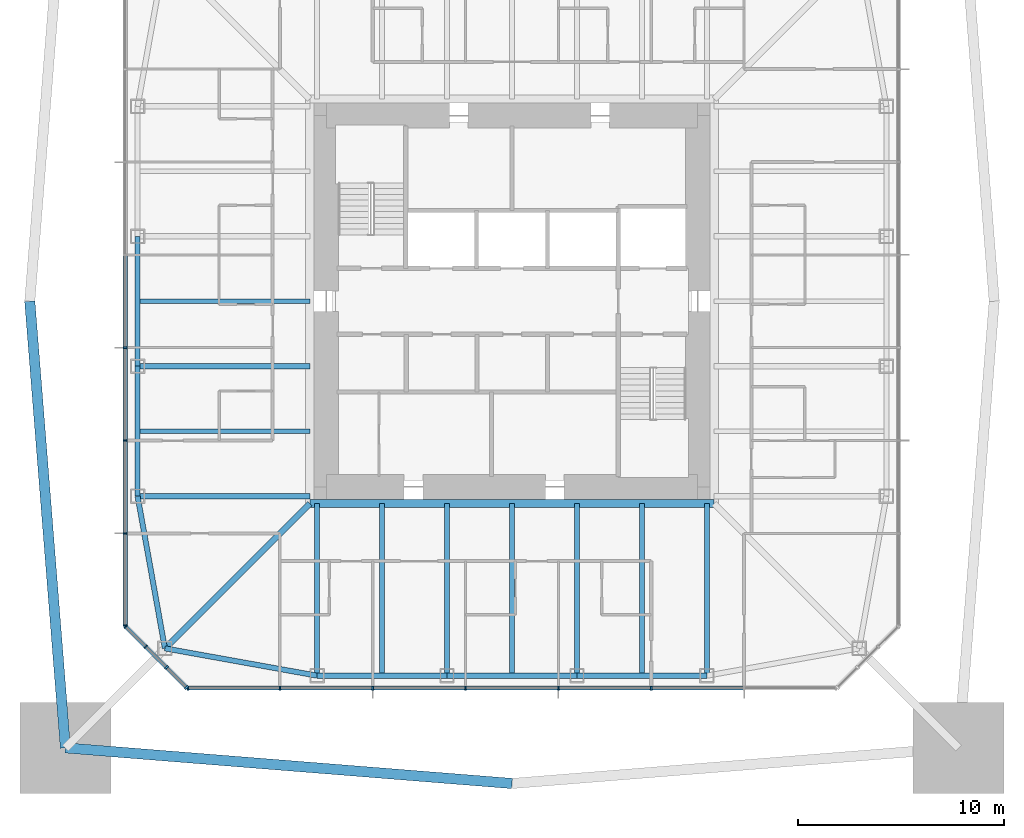
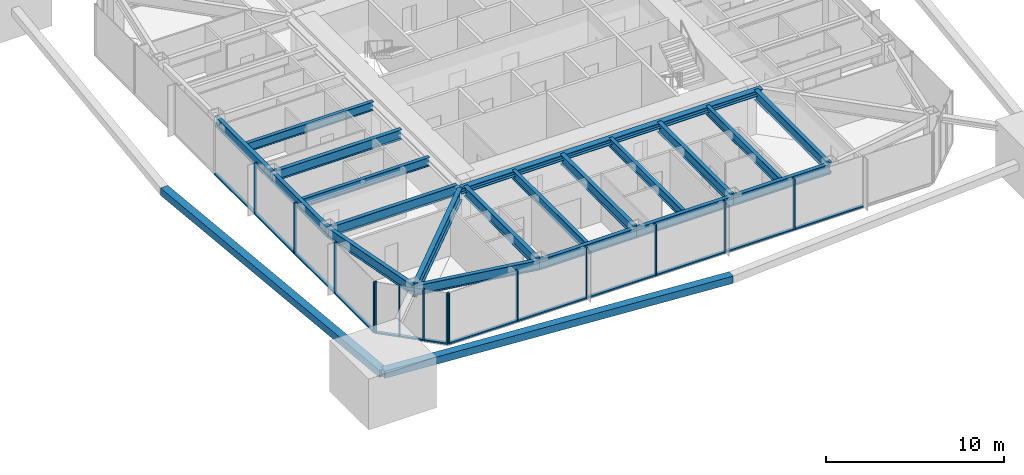
# One storey, part 2 of 13: 29 members, 20 beams, 3 elements without a shape of their own.
"""IFC4 building model written with IfcOpenShell, lengths in metres."""

from ifc_helpers import new_model, si_unit, direction, frame, origin, origin_2d, place, context, subcontext, project, spatial, rectangle, hollow_rectangle, i_section, extrude, material, material_profile, profile_set, type_object, element, aggregate, save


model = new_model("IFC4")

# Units and contexts
model_context = context("Model", 3, precision=1e-05, world=origin(), true_north=direction((0.0, 1.0)))
body_context = subcontext(model_context, "Body", "Model", "MODEL_VIEW")
ifc_project = project(units=[si_unit("LENGTHUNIT", "METRE"), si_unit("AREAUNIT", "SQUARE_METRE"), si_unit("VOLUMEUNIT", "CUBIC_METRE"), si_unit("PLANEANGLEUNIT", "RADIAN"), si_unit("MASSUNIT", "GRAM", prefix="KILO")], contexts=[model_context])

# Site, building, storey
site_placement = place(None, origin())
site = spatial("IfcSite", under=ifc_project, at=site_placement, CompositionType="ELEMENT")
building_placement = place(site_placement, origin())
building = spatial("IfcBuilding", under=site, at=building_placement, Name="Iwan Alto Co-Living Towers", CompositionType="ELEMENT")
storey_placement = place(building_placement, frame((0.0, 0.0, 160.0)))
storey = spatial("IfcBuildingStorey", under=building, at=storey_placement, Name="L43", CompositionType="ELEMENT", Elevation=160.0)

# Curtain wall, members
ifc_material_1 = material(Name="Bronze aluminium unitised frame", Category="aluminium")
curtain_wall_type_1 = type_object("IfcCurtainWallType", Name="CURTAIN WALL CW-A", PredefinedType="NOTDEFINED", material=ifc_material_1)
curtain_wall_1_placement = place(storey_placement, origin())
curtain_wall_1 = element("IfcCurtainWall", 1, at=curtain_wall_1_placement, inside=storey, type_object=curtain_wall_type_1, Name="T1 curtain wall S L43", PredefinedType="NOTDEFINED")
ifc_material_2 = material(Name="Aluminium 6063-T6 bronze anodised", Category="aluminium")
ifc_material_profile_1 = material_profile(ifc_material_2, rectangle(XDim=0.199951171875, YDim=0.080078125, at=origin_2d()), Name="AL 80X200")
ifc_profile_set_1 = profile_set([ifc_material_profile_1], Name="Aluminium 6063-T6 bronze anodised")
member_type_1 = type_object("IfcMemberType", Name="CW-A MULLION 80X200", PredefinedType="MULLION", material=ifc_profile_set_1)
member_1_placement = place(storey_placement, frame((-15.7099609375, -18.75, 0.0), z_axis=(0.0, 0.0, 1.0), x_axis=(0.0, 1.0, 0.0)))
member_1 = element("IfcMember", 2, at=member_1_placement, type_object=member_type_1, Name="CW-A mullion 1", PredefinedType="MULLION", context=body_context, shape_type="SweptSolid", body=[
    extrude(rectangle(XDim=0.199951171875, YDim=0.080078125, at=origin_2d()), origin(), (0.0, 0.0, 1.0), 3.5),
])
member_2_placement = place(storey_placement, frame((-11.25, -18.75, 0.0), z_axis=(0.0, 0.0, 1.0), x_axis=(0.0, 1.0, 0.0)))
member_2 = element("IfcMember", 3, at=member_2_placement, type_object=member_type_1, Name="CW-A mullion 2", PredefinedType="MULLION", context=body_context, shape_type="SweptSolid", body=[
    extrude(rectangle(XDim=0.199951171875, YDim=0.080078125, at=origin_2d()), origin(), (0.0, 0.0, 1.0), 3.5),
])
member_3_placement = place(storey_placement, frame((-6.75, -18.75, 0.0), z_axis=(0.0, 0.0, 1.0), x_axis=(0.0, 1.0, 0.0)))
member_3 = element("IfcMember", 4, at=member_3_placement, type_object=member_type_1, Name="CW-A mullion 3", PredefinedType="MULLION", context=body_context, shape_type="SweptSolid", body=[
    extrude(rectangle(XDim=0.199951171875, YDim=0.080078125, at=origin_2d()), origin(), (0.0, 0.0, 1.0), 3.5),
])
member_4_placement = place(storey_placement, frame((-2.25, -18.75, 0.0), z_axis=(0.0, 0.0, 1.0), x_axis=(0.0, 1.0, 0.0)))
member_4 = element("IfcMember", 5, at=member_4_placement, type_object=member_type_1, Name="CW-A mullion 4", PredefinedType="MULLION", context=body_context, shape_type="SweptSolid", body=[
    extrude(rectangle(XDim=0.199951171875, YDim=0.080078125, at=origin_2d()), origin(), (0.0, 0.0, 1.0), 3.5),
])
member_5_placement = place(storey_placement, frame((2.25, -18.75, 0.0), z_axis=(0.0, 0.0, 1.0), x_axis=(0.0, 1.0, 0.0)))
member_5 = element("IfcMember", 6, at=member_5_placement, type_object=member_type_1, Name="CW-A mullion 5", PredefinedType="MULLION", context=body_context, shape_type="SweptSolid", body=[
    extrude(rectangle(XDim=0.199951171875, YDim=0.080078125, at=origin_2d()), origin(), (0.0, 0.0, 1.0), 3.5),
])
member_6_placement = place(storey_placement, frame((6.75, -18.75, 0.0), z_axis=(0.0, 0.0, 1.0), x_axis=(0.0, 1.0, 0.0)))
member_6 = element("IfcMember", 7, at=member_6_placement, type_object=member_type_1, Name="CW-A mullion 6", PredefinedType="MULLION", context=body_context, shape_type="SweptSolid", body=[
    extrude(rectangle(XDim=0.199951171875, YDim=0.080078125, at=origin_2d()), origin(), (0.0, 0.0, 1.0), 3.5),
])

curtain_wall_2_placement = place(storey_placement, origin())
curtain_wall_2 = element("IfcCurtainWall", 8, at=curtain_wall_2_placement, inside=storey, type_object=curtain_wall_type_1, Name="T1 curtain wall W L43", PredefinedType="NOTDEFINED")
member_7_placement = place(storey_placement, frame((-18.75, -2.25, 0.0), z_axis=(0.0, 0.0, 1.0), x_axis=(1.0, 0.0, 0.0)))
member_7 = element("IfcMember", 9, at=member_7_placement, type_object=member_type_1, Name="CW-A mullion 5", PredefinedType="MULLION", context=body_context, shape_type="SweptSolid", body=[
    extrude(rectangle(XDim=0.199951171875, YDim=0.080078125, at=origin_2d()), origin(), (0.0, 0.0, 1.0), 3.5),
])
member_8_placement = place(storey_placement, frame((-18.75, -6.75, 0.0), z_axis=(0.0, 0.0, 1.0), x_axis=(1.0, 0.0, 0.0)))
member_8 = element("IfcMember", 10, at=member_8_placement, type_object=member_type_1, Name="CW-A mullion 6", PredefinedType="MULLION", context=body_context, shape_type="SweptSolid", body=[
    extrude(rectangle(XDim=0.199951171875, YDim=0.080078125, at=origin_2d()), origin(), (0.0, 0.0, 1.0), 3.5),
])
member_9_placement = place(storey_placement, frame((-18.75, -11.25, 0.0), z_axis=(0.0, 0.0, 1.0), x_axis=(1.0, 0.0, 0.0)))
member_9 = element("IfcMember", 11, at=member_9_placement, type_object=member_type_1, Name="CW-A mullion 7", PredefinedType="MULLION", context=body_context, shape_type="SweptSolid", body=[
    extrude(rectangle(XDim=0.199951171875, YDim=0.080078125, at=origin_2d()), origin(), (0.0, 0.0, 1.0), 3.5),
])
member_10_placement = place(storey_placement, frame((-18.75, -15.7099609375, 0.0), z_axis=(0.0, 0.0, 1.0), x_axis=(1.0, 0.0, 0.0)))
member_10 = element("IfcMember", 12, at=member_10_placement, type_object=member_type_1, Name="CW-A mullion 8", PredefinedType="MULLION", context=body_context, shape_type="SweptSolid", body=[
    extrude(rectangle(XDim=0.199951171875, YDim=0.080078125, at=origin_2d()), origin(), (0.0, 0.0, 1.0), 3.5),
])

# Member
ifc_material_3 = material(Name="Aluminium 6063-T6 bronze anodised", Category="aluminium")
ifc_material_profile_2 = material_profile(ifc_material_3, rectangle(XDim=0.199951171875, YDim=0.10009765625, at=origin_2d()), Name="AL 200X100")
ifc_profile_set_2 = profile_set([ifc_material_profile_2], Name="Aluminium 6063-T6 bronze anodised")
member_type_2 = type_object("IfcMemberType", Name="CW-A TRANSOM 200X100", PredefinedType="USERDEFINED", material=ifc_profile_set_2)
member_11_placement = place(storey_placement, frame((-15.669921875, -18.75, 0.050048828125), z_axis=(1.0, 0.0, 0.0), x_axis=(0.0, 1.0, 0.0)))
member_11 = element("IfcMember", 13, at=member_11_placement, type_object=member_type_2, Name="CW-A transom 1.1", ObjectType="TRANSOM", PredefinedType="USERDEFINED", context=body_context, shape_type="SweptSolid", body=[
    extrude(rectangle(XDim=0.199951171875, YDim=0.10009765625, at=origin_2d()), origin(), (0.0, 0.0, 1.0), 4.3798828125),
])

member_12_placement = place(storey_placement, frame((-11.2099609375, -18.75, 0.050048828125), z_axis=(1.0, 0.0, 0.0), x_axis=(0.0, 1.0, 0.0)))
member_12 = element("IfcMember", 14, at=member_12_placement, type_object=member_type_2, Name="CW-A transom 2.1", ObjectType="TRANSOM", PredefinedType="USERDEFINED", context=body_context, shape_type="SweptSolid", body=[
    extrude(rectangle(XDim=0.199951171875, YDim=0.10009765625, at=origin_2d()), origin(), (0.0, 0.0, 1.0), 4.419921875),
])

member_13_placement = place(storey_placement, frame((-6.7099609375, -18.75, 0.050048828125), z_axis=(1.0, 0.0, 0.0), x_axis=(0.0, 1.0, 0.0)))
member_13 = element("IfcMember", 15, at=member_13_placement, type_object=member_type_2, Name="CW-A transom 3.1", ObjectType="TRANSOM", PredefinedType="USERDEFINED", context=body_context, shape_type="SweptSolid", body=[
    extrude(rectangle(XDim=0.199951171875, YDim=0.10009765625, at=origin_2d()), origin(), (0.0, 0.0, 1.0), 4.419921875),
])

member_14_placement = place(storey_placement, frame((-2.2099609375, -18.75, 0.050048828125), z_axis=(1.0, 0.0, 0.0), x_axis=(0.0, 1.0, 0.0)))
member_14 = element("IfcMember", 16, at=member_14_placement, type_object=member_type_2, Name="CW-A transom 4.1", ObjectType="TRANSOM", PredefinedType="USERDEFINED", context=body_context, shape_type="SweptSolid", body=[
    extrude(rectangle(XDim=0.199951171875, YDim=0.10009765625, at=origin_2d()), origin(), (0.0, 0.0, 1.0), 4.419921875),
])

member_15_placement = place(storey_placement, frame((2.2900390625, -18.75, 0.050048828125), z_axis=(1.0, 0.0, 0.0), x_axis=(0.0, 1.0, 0.0)))
member_15 = element("IfcMember", 17, at=member_15_placement, type_object=member_type_2, Name="CW-A transom 5.1", ObjectType="TRANSOM", PredefinedType="USERDEFINED", context=body_context, shape_type="SweptSolid", body=[
    extrude(rectangle(XDim=0.199951171875, YDim=0.10009765625, at=origin_2d()), origin(), (0.0, 0.0, 1.0), 4.419921875),
])

member_16_placement = place(storey_placement, frame((6.7900390625, -18.75, 0.050048828125), z_axis=(1.0, 0.0, 0.0), x_axis=(0.0, 1.0, 0.0)))
member_16 = element("IfcMember", 18, at=member_16_placement, type_object=member_type_2, Name="CW-A transom 6.1", ObjectType="TRANSOM", PredefinedType="USERDEFINED", context=body_context, shape_type="SweptSolid", body=[
    extrude(rectangle(XDim=0.199951171875, YDim=0.10009765625, at=origin_2d()), origin(), (0.0, 0.0, 1.0), 4.419921875),
])

aggregate(curtain_wall_1, [member_1, member_2, member_3, member_4, member_5, member_6, member_11, member_12, member_13, member_14, member_15, member_16])

member_17_placement = place(storey_placement, frame((-18.75, 2.2099609375, 0.050048828125), z_axis=(0.0, -1.0, 0.0), x_axis=(1.0, 0.0, 0.0)))
member_17 = element("IfcMember", 19, at=member_17_placement, type_object=member_type_2, Name="CW-A transom 4.1", ObjectType="TRANSOM", PredefinedType="USERDEFINED", context=body_context, shape_type="SweptSolid", body=[
    extrude(rectangle(XDim=0.199951171875, YDim=0.10009765625, at=origin_2d()), origin(), (0.0, 0.0, 1.0), 4.419921875),
])

member_18_placement = place(storey_placement, frame((-18.75, -2.2900390625, 0.050048828125), z_axis=(0.0, -1.0, 0.0), x_axis=(1.0, 0.0, 0.0)))
member_18 = element("IfcMember", 20, at=member_18_placement, type_object=member_type_2, Name="CW-A transom 5.1", ObjectType="TRANSOM", PredefinedType="USERDEFINED", context=body_context, shape_type="SweptSolid", body=[
    extrude(rectangle(XDim=0.199951171875, YDim=0.10009765625, at=origin_2d()), origin(), (0.0, 0.0, 1.0), 4.419921875),
])

member_19_placement = place(storey_placement, frame((-18.75, -6.7900390625, 0.050048828125), z_axis=(0.0, -1.0, 0.0), x_axis=(1.0, 0.0, 0.0)))
member_19 = element("IfcMember", 21, at=member_19_placement, type_object=member_type_2, Name="CW-A transom 6.1", ObjectType="TRANSOM", PredefinedType="USERDEFINED", context=body_context, shape_type="SweptSolid", body=[
    extrude(rectangle(XDim=0.199951171875, YDim=0.10009765625, at=origin_2d()), origin(), (0.0, 0.0, 1.0), 4.419921875),
])

member_20_placement = place(storey_placement, frame((-18.75, -11.2900390625, 0.050048828125), z_axis=(0.0, -1.0, 0.0), x_axis=(1.0, 0.0, 0.0)))
member_20 = element("IfcMember", 22, at=member_20_placement, type_object=member_type_2, Name="CW-A transom 7.1", ObjectType="TRANSOM", PredefinedType="USERDEFINED", context=body_context, shape_type="SweptSolid", body=[
    extrude(rectangle(XDim=0.199951171875, YDim=0.10009765625, at=origin_2d()), origin(), (0.0, 0.0, 1.0), 4.3798828125),
])

aggregate(curtain_wall_2, [member_7, member_8, member_9, member_10, member_17, member_18, member_19, member_20])

# Curtain wall, members
ifc_material_4 = material(Name="Bronze aluminium unitised frame", Category="aluminium")
curtain_wall_type_2 = type_object("IfcCurtainWallType", Name="CURTAIN WALL CW-B", PredefinedType="NOTDEFINED", material=ifc_material_4)
curtain_wall_3_placement = place(storey_placement, origin())
curtain_wall_3 = element("IfcCurtainWall", 23, at=curtain_wall_3_placement, inside=storey, type_object=curtain_wall_type_2, Name="T1 chamfer curtain wall SW L43", PredefinedType="NOTDEFINED")
ifc_material_5 = material(Name="Aluminium 6063-T6 bronze anodised", Category="aluminium")
ifc_material_profile_3 = material_profile(ifc_material_5, rectangle(XDim=0.199951171875, YDim=0.080078125, at=origin_2d()), Name="AL 80X200")
ifc_profile_set_3 = profile_set([ifc_material_profile_3], Name="Aluminium 6063-T6 bronze anodised")
member_type_3 = type_object("IfcMemberType", Name="CW-B MULLION 80X200", PredefinedType="MULLION", material=ifc_profile_set_3)
member_21_placement = place(storey_placement, frame((-18.7216796875, -15.7783203125, 0.0), z_axis=(0.0, 0.0, 1.0), x_axis=(0.707106781187, 0.707106781187, 0.0)))
member_21 = element("IfcMember", 24, at=member_21_placement, type_object=member_type_3, Name="CW-B mullion 1", PredefinedType="MULLION", context=body_context, shape_type="SweptSolid", body=[
    extrude(rectangle(XDim=0.199951171875, YDim=0.080078125, at=origin_2d()), origin(), (0.0, 0.0, 1.0), 3.5),
])
member_22_placement = place(storey_placement, frame((-17.75, -16.75, 0.0), z_axis=(0.0, 0.0, 1.0), x_axis=(0.707106781187, 0.707106781187, 0.0)))
member_22 = element("IfcMember", 25, at=member_22_placement, type_object=member_type_3, Name="CW-B mullion 2", PredefinedType="MULLION", context=body_context, shape_type="SweptSolid", body=[
    extrude(rectangle(XDim=0.199951171875, YDim=0.080078125, at=origin_2d()), origin(), (0.0, 0.0, 1.0), 3.5),
])
member_23_placement = place(storey_placement, frame((-16.75, -17.75, 0.0), z_axis=(0.0, 0.0, 1.0), x_axis=(0.707106781187, 0.707106781187, 0.0)))
member_23 = element("IfcMember", 26, at=member_23_placement, type_object=member_type_3, Name="CW-B mullion 3", PredefinedType="MULLION", context=body_context, shape_type="SweptSolid", body=[
    extrude(rectangle(XDim=0.199951171875, YDim=0.080078125, at=origin_2d()), origin(), (0.0, 0.0, 1.0), 3.5),
])
member_24_placement = place(storey_placement, frame((-15.7783203125, -18.7216796875, 0.0), z_axis=(0.0, 0.0, 1.0), x_axis=(0.707106781187, 0.707106781187, 0.0)))
member_24 = element("IfcMember", 27, at=member_24_placement, type_object=member_type_3, Name="CW-B mullion 4", PredefinedType="MULLION", context=body_context, shape_type="SweptSolid", body=[
    extrude(rectangle(XDim=0.199951171875, YDim=0.080078125, at=origin_2d()), origin(), (0.0, 0.0, 1.0), 3.5),
])
ifc_material_6 = material(Name="Aluminium 6063-T6 bronze anodised", Category="aluminium")
ifc_material_profile_4 = material_profile(ifc_material_6, rectangle(XDim=0.199951171875, YDim=0.10009765625, at=origin_2d()), Name="AL 200X100")
ifc_profile_set_4 = profile_set([ifc_material_profile_4], Name="Aluminium 6063-T6 bronze anodised")
member_type_4 = type_object("IfcMemberType", Name="CW-B TRANSOM 200X100", PredefinedType="USERDEFINED", material=ifc_profile_set_4)
member_25_placement = place(storey_placement, frame((-18.693359375, -15.806640625, 0.050048828125), z_axis=(0.707106781187, -0.707106781187, 0.0), x_axis=(0.707106781187, 0.707106781187, 0.0)))
member_25 = element("IfcMember", 28, at=member_25_placement, type_object=member_type_4, Name="CW-B transom 1.1", ObjectType="TRANSOM", PredefinedType="USERDEFINED", context=body_context, shape_type="SweptSolid", body=[
    extrude(rectangle(XDim=0.199951171875, YDim=0.10009765625, at=origin_2d()), origin(), (0.0, 0.0, 1.0), 1.2939453125),
])
member_26_placement = place(storey_placement, frame((-17.7216796875, -16.7783203125, 0.050048828125), z_axis=(0.707106781187, -0.707106781187, 0.0), x_axis=(0.707106781187, 0.707106781187, 0.0)))
member_26 = element("IfcMember", 29, at=member_26_placement, type_object=member_type_4, Name="CW-B transom 2.1", ObjectType="TRANSOM", PredefinedType="USERDEFINED", context=body_context, shape_type="SweptSolid", body=[
    extrude(rectangle(XDim=0.199951171875, YDim=0.10009765625, at=origin_2d()), origin(), (0.0, 0.0, 1.0), 1.334228515625),
])
member_27_placement = place(storey_placement, frame((-16.7216796875, -17.7783203125, 0.050048828125), z_axis=(0.707106781187, -0.707106781187, 0.0), x_axis=(0.707106781187, 0.707106781187, 0.0)))
member_27 = element("IfcMember", 30, at=member_27_placement, type_object=member_type_4, Name="CW-B transom 3.1", ObjectType="TRANSOM", PredefinedType="USERDEFINED", context=body_context, shape_type="SweptSolid", body=[
    extrude(rectangle(XDim=0.199951171875, YDim=0.10009765625, at=origin_2d()), origin(), (0.0, 0.0, 1.0), 1.2939453125),
])
aggregate(curtain_wall_3, [member_21, member_22, member_23, member_24, member_25, member_26, member_27])

# Beams
ifc_material_7 = material(Name="Steel ASTM A992 Gr 50", Category="steel")
ifc_material_profile_5 = material_profile(ifc_material_7, i_section(OverallWidth=0.398681640625, OverallDepth=0.385986328125, WebThickness=0.02099609375, FlangeThickness=0.033203125, at=origin_2d()), Name="W14X176")
ifc_profile_set_5 = profile_set([ifc_material_profile_5], Name="Steel ASTM A992 Gr 50")
beam_type_1 = type_object("IfcBeamType", Name="T1 CORE LEDGER BEAM W14X176", PredefinedType="BEAM", material=ifc_profile_set_5)
beam_1_placement = place(storey_placement, frame((-9.79931640625, -9.79931640625, 3.076904296875), z_axis=(1.0, 0.0, 0.0), x_axis=(0.0, 1.0, 0.0)))
element("IfcBeam", 31, at=beam_1_placement, inside=storey, type_object=beam_type_1, Name="T1 core ledger beam S L44", PredefinedType="BEAM", context=body_context, shape_type="SweptSolid", body=[
    extrude(i_section(OverallWidth=0.398681640625, OverallDepth=0.385986328125, WebThickness=0.02099609375, FlangeThickness=0.033203125, at=origin_2d()), origin(), (0.0, 0.0, 1.0), 19.5986328125),
])
ifc_material_8 = material(Name="Steel ASTM A992 Gr 50", Category="steel")
ifc_material_profile_6 = material_profile(ifc_material_8, i_section(OverallWidth=0.2919921875, OverallDepth=0.8408203125, WebThickness=0.0146484375, FlangeThickness=0.021728515625, at=origin_2d()), Name="W33X130")
ifc_profile_set_6 = profile_set([ifc_material_profile_6], Name="Steel ASTM A992 Gr 50")
beam_type_2 = type_object("IfcBeamType", Name="T1 CORNER GIRDER W33X130", PredefinedType="BEAM", material=ifc_profile_set_6)
beam_2_placement = place(storey_placement, frame((-16.82568359375, -16.82568359375, 2.849609375), z_axis=(0.707106781187, 0.707106781187, 0.0), x_axis=(-0.707106781187, 0.707106781187, 0.0)))
element("IfcBeam", 32, at=beam_2_placement, inside=storey, type_object=beam_type_2, Name="T1 corner girder CSW L44", PredefinedType="BEAM", context=body_context, shape_type="SweptSolid", body=[
    extrude(i_section(OverallWidth=0.2919921875, OverallDepth=0.8408203125, WebThickness=0.0146484375, FlangeThickness=0.021728515625, at=origin_2d()), origin(), (0.0, 0.0, 1.0), 9.936767578125),
])
ifc_material_9 = material(Name="Steel ASTM A992 Gr 50", Category="steel")
ifc_material_profile_7 = material_profile(ifc_material_9, i_section(OverallWidth=0.25390625, OverallDepth=0.683349609375, WebThickness=0.012451171875, FlangeThickness=0.018798828125, at=origin_2d()), Name="W27X94")
ifc_profile_set_7 = profile_set([ifc_material_profile_7], Name="Steel ASTM A992 Gr 50")
beam_type_3 = type_object("IfcBeamType", Name="T1 EDGE BEAM W27X94", PredefinedType="BEAM", material=ifc_profile_set_7)
beam_3_placement = place(storey_placement, frame((-16.82568359375, -16.82568359375, 2.928466796875), z_axis=(0.98426263553, -0.17671181143, 0.0), x_axis=(0.17671181143, 0.98426263553, 0.0)))
element("IfcBeam", 33, at=beam_3_placement, inside=storey, type_object=beam_type_3, Name="T1 edge beam CSW L44", PredefinedType="BEAM", context=body_context, shape_type="SweptSolid", body=[
    extrude(i_section(OverallWidth=0.25390625, OverallDepth=0.683349609375, WebThickness=0.012451171875, FlangeThickness=0.018798828125, at=origin_2d()), origin(), (0.0, 0.0, 1.0), 7.49365234375),
])
beam_4_placement = place(storey_placement, frame((-9.449951171875, -18.14990234375, 2.928466796875), z_axis=(1.0, 0.0, 0.0), x_axis=(0.0, 1.0, 0.0)))
element("IfcBeam", 34, at=beam_4_placement, inside=storey, type_object=beam_type_3, Name="T1 edge beam S1 L44", PredefinedType="BEAM", context=body_context, shape_type="SweptSolid", body=[
    extrude(i_section(OverallWidth=0.25390625, OverallDepth=0.683349609375, WebThickness=0.012451171875, FlangeThickness=0.018798828125, at=origin_2d()), origin(), (0.0, 0.0, 1.0), 6.300048828125),
])
beam_5_placement = place(storey_placement, frame((-3.14990234375, -18.14990234375, 2.928466796875), z_axis=(1.0, 0.0, 0.0), x_axis=(0.0, 1.0, 0.0)))
element("IfcBeam", 35, at=beam_5_placement, inside=storey, type_object=beam_type_3, Name="T1 edge beam S2 L44", PredefinedType="BEAM", context=body_context, shape_type="SweptSolid", body=[
    extrude(i_section(OverallWidth=0.25390625, OverallDepth=0.683349609375, WebThickness=0.012451171875, FlangeThickness=0.018798828125, at=origin_2d()), origin(), (0.0, 0.0, 1.0), 6.2998046875),
])
beam_6_placement = place(storey_placement, frame((3.14990234375, -18.14990234375, 2.928466796875), z_axis=(1.0, 0.0, 0.0), x_axis=(0.0, 1.0, 0.0)))
element("IfcBeam", 36, at=beam_6_placement, inside=storey, type_object=beam_type_3, Name="T1 edge beam S3 L44", PredefinedType="BEAM", context=body_context, shape_type="SweptSolid", body=[
    extrude(i_section(OverallWidth=0.25390625, OverallDepth=0.683349609375, WebThickness=0.012451171875, FlangeThickness=0.018798828125, at=origin_2d()), origin(), (0.0, 0.0, 1.0), 6.300048828125),
])
beam_7_placement = place(storey_placement, frame((-18.14990234375, 3.14990234375, 2.928466796875), z_axis=(0.0, -1.0, 0.0), x_axis=(1.0, 0.0, 0.0)))
element("IfcBeam", 37, at=beam_7_placement, inside=storey, type_object=beam_type_3, Name="T1 edge beam W2 L44", PredefinedType="BEAM", context=body_context, shape_type="SweptSolid", body=[
    extrude(i_section(OverallWidth=0.25390625, OverallDepth=0.683349609375, WebThickness=0.012451171875, FlangeThickness=0.018798828125, at=origin_2d()), origin(), (0.0, 0.0, 1.0), 6.2998046875),
])
beam_8_placement = place(storey_placement, frame((-18.14990234375, -3.14990234375, 2.928466796875), z_axis=(0.0, -1.0, 0.0), x_axis=(1.0, 0.0, 0.0)))
element("IfcBeam", 38, at=beam_8_placement, inside=storey, type_object=beam_type_3, Name="T1 edge beam W3 L44", PredefinedType="BEAM", context=body_context, shape_type="SweptSolid", body=[
    extrude(i_section(OverallWidth=0.25390625, OverallDepth=0.683349609375, WebThickness=0.012451171875, FlangeThickness=0.018798828125, at=origin_2d()), origin(), (0.0, 0.0, 1.0), 6.300048828125),
])
beam_9_placement = place(storey_placement, frame((-18.14990234375, -9.449951171875, 2.928466796875), z_axis=(0.17671181143, -0.98426263553, 0.0), x_axis=(0.98426263553, 0.17671181143, 0.0)))
element("IfcBeam", 39, at=beam_9_placement, inside=storey, type_object=beam_type_3, Name="T1 edge beam W4 L44", PredefinedType="BEAM", context=body_context, shape_type="SweptSolid", body=[
    extrude(i_section(OverallWidth=0.25390625, OverallDepth=0.683349609375, WebThickness=0.012451171875, FlangeThickness=0.018798828125, at=origin_2d()), origin(), (0.0, 0.0, 1.0), 7.49365234375),
])

# Members
ifc_material_10 = material(Name="Steel ASTM A572 Gr 50", Category="steel")
ifc_material_profile_8 = material_profile(ifc_material_10, hollow_rectangle(XDim=0.5, YDim=0.5, WallThickness=0.031982421875, at=origin_2d()), Name="BOX 500X500X32")
ifc_profile_set_8 = profile_set([ifc_material_profile_8], Name="Steel ASTM A572 Gr 50")
member_type_5 = type_object("IfcMemberType", Name="T1 MEGA TIE BOX 500X500X32", PredefinedType="STRUT", material=ifc_profile_set_8)
for number, where, z_axis, x_axis, name in (
    (40, (-21.64990234375, -21.64990234375, 1.85498046875), (0.996838682712, -0.07945212803, 0.0), (0.07945212803, 0.996838682712, 0.0), "T1 mega tie Z3A S 1"),
    (41, (-23.37548828125, 0.0, 1.85498046875), (0.07945212803, -0.996838682712, 0.0), (0.996838682712, 0.07945212803, 0.0), "T1 mega tie Z3A W 2"),
):
    element("IfcMember", number, at=place(storey_placement, frame(where, z_axis=z_axis, x_axis=x_axis)), inside=storey, type_object=member_type_5, Name=name, PredefinedType="STRUT", context=body_context, shape_type="SweptSolid", body=[
        extrude(hollow_rectangle(XDim=0.5, YDim=0.5, WallThickness=0.031982421875, at=origin_2d()), origin(), (0.0, 0.0, 1.0), 21.718505859375),
    ])

# Beams
ifc_material_11 = material(Name="Steel ASTM A992 Gr 50", Category="steel")
ifc_material_profile_9 = material_profile(ifc_material_11, i_section(OverallWidth=0.25390625, OverallDepth=0.683349609375, WebThickness=0.012451171875, FlangeThickness=0.018798828125, at=origin_2d()), Name="W27X94")
ifc_profile_set_9 = profile_set([ifc_material_profile_9], Name="Steel ASTM A992 Gr 50")
beam_type_4 = type_object("IfcBeamType", Name="T1 RADIAL BEAM W27X94", PredefinedType="BEAM", material=ifc_profile_set_9)
for number, where, z_axis, x_axis, name in (
    (42, (-9.449951171875, -18.14990234375, 2.928466796875), (0.0, 1.0, 0.0), (-1.0, 0.0, 0.0), "T1 radial beam S1 L44"),
    (43, (-3.14990234375, -18.14990234375, 2.928466796875), (0.0, 1.0, 0.0), (-1.0, 0.0, 0.0), "T1 radial beam S2 L44"),
    (44, (3.14990234375, -18.14990234375, 2.928466796875), (0.0, 1.0, 0.0), (-1.0, 0.0, 0.0), "T1 radial beam S3 L44"),
    (45, (9.449951171875, -18.14990234375, 2.928466796875), (0.0, 1.0, 0.0), (-1.0, 0.0, 0.0), "T1 radial beam S4 L44"),
    (46, (-18.14990234375, -3.14990234375, 2.928466796875), (1.0, 0.0, 0.0), (0.0, 1.0, 0.0), "T1 radial beam W3 L44"),
    (47, (-18.14990234375, -9.449951171875, 2.928466796875), (1.0, 0.0, 0.0), (0.0, 1.0, 0.0), "T1 radial beam W4 L44"),
):
    element("IfcBeam", number, at=place(storey_placement, frame(where, z_axis=z_axis, x_axis=x_axis)), inside=storey, type_object=beam_type_4, Name=name, PredefinedType="BEAM", context=body_context, shape_type="SweptSolid", body=[
        extrude(i_section(OverallWidth=0.25390625, OverallDepth=0.683349609375, WebThickness=0.012451171875, FlangeThickness=0.018798828125, at=origin_2d()), origin(), (0.0, 0.0, 1.0), 8.3505859375),
    ])
ifc_material_12 = material(Name="Steel ASTM A992 Gr 50", Category="steel")
ifc_material_profile_10 = material_profile(ifc_material_12, i_section(OverallWidth=0.228271484375, OverallDepth=0.607177734375, WebThickness=0.01123046875, FlangeThickness=0.017333984375, at=origin_2d()), Name="W24X76")
ifc_profile_set_10 = profile_set([ifc_material_profile_10], Name="Steel ASTM A992 Gr 50")
beam_type_5 = type_object("IfcBeamType", Name="T1 SECONDARY BEAM W24X76", PredefinedType="JOIST", material=ifc_profile_set_10)
for number, where, z_axis, x_axis, name in (
    (48, (-6.300048828125, -18.14990234375, 2.966552734375), (0.0, 1.0, 0.0), (-1.0, 0.0, 0.0), "T1 secondary beam S1 L44"),
    (49, (0.0, -18.14990234375, 2.966552734375), (0.0, 1.0, 0.0), (-1.0, 0.0, 0.0), "T1 secondary beam S2 L44"),
    (50, (6.300048828125, -18.14990234375, 2.966552734375), (0.0, 1.0, 0.0), (-1.0, 0.0, 0.0), "T1 secondary beam S3 L44"),
    (51, (-18.14990234375, 0.0, 2.966552734375), (1.0, 0.0, 0.0), (0.0, 1.0, 0.0), "T1 secondary beam W2 L44"),
    (52, (-18.14990234375, -6.300048828125, 2.966552734375), (1.0, 0.0, 0.0), (0.0, 1.0, 0.0), "T1 secondary beam W3 L44"),
):
    element("IfcBeam", number, at=place(storey_placement, frame(where, z_axis=z_axis, x_axis=x_axis)), inside=storey, type_object=beam_type_5, Name=name, PredefinedType="JOIST", context=body_context, shape_type="SweptSolid", body=[
        extrude(i_section(OverallWidth=0.228271484375, OverallDepth=0.607177734375, WebThickness=0.01123046875, FlangeThickness=0.017333984375, at=origin_2d()), origin(), (0.0, 0.0, 1.0), 8.3505859375),
    ])

save(model, "model.ifc")
